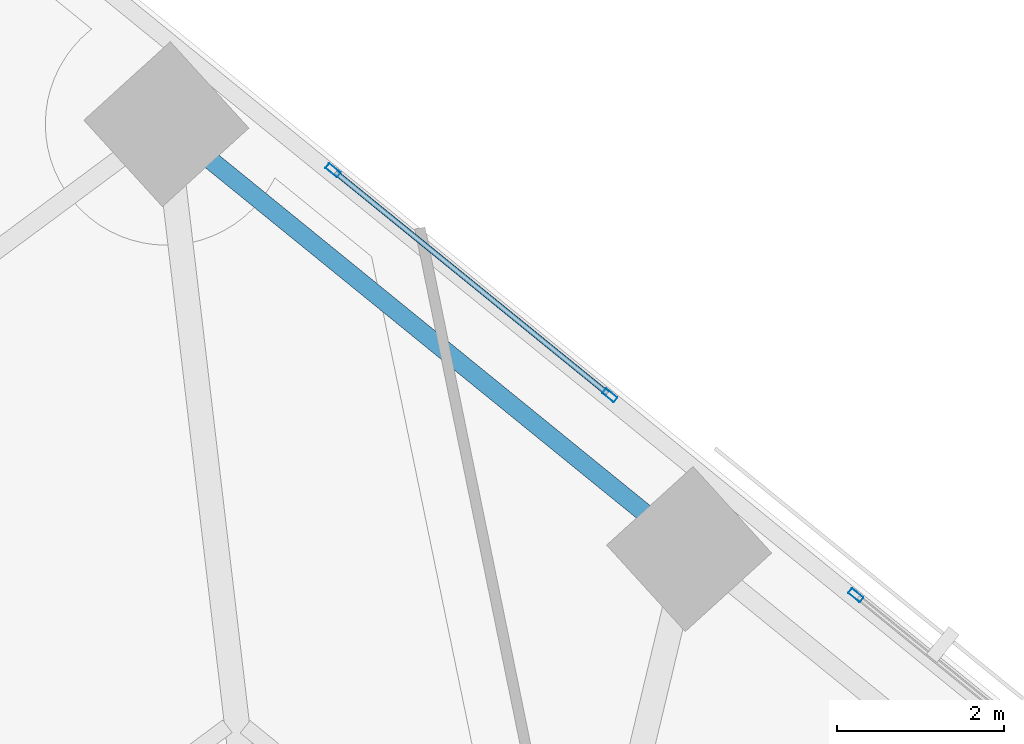
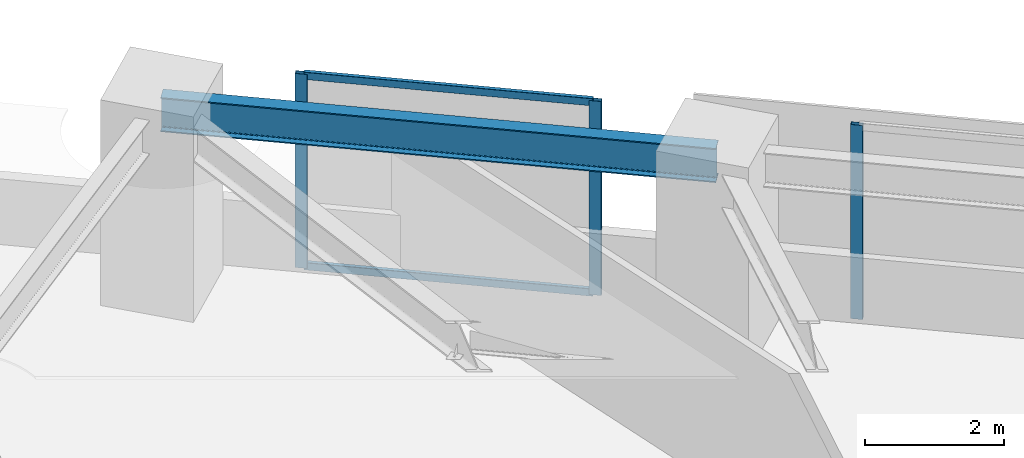
# One storey, part 9 of 17: 5 members, 1 beam, 2 elements without a shape of their own.
"""IFC4 building model written with IfcOpenShell, lengths in metres."""

from ifc_helpers import new_model, si_unit, direction, frame, origin, origin_2d, place, context, subcontext, project, spatial, hollow_rectangle, i_section, extrude, material, material_profile, profile_set, type_object, element, aggregate, save


model = new_model("IFC4")

# Units and contexts
model_context = context("Model", 3, precision=1e-05, world=origin(), true_north=direction((0.0, 1.0)))
body_context = subcontext(model_context, "Body", "Model", "MODEL_VIEW")
ifc_project = project(units=[si_unit("LENGTHUNIT", "METRE"), si_unit("AREAUNIT", "SQUARE_METRE"), si_unit("VOLUMEUNIT", "CUBIC_METRE"), si_unit("PLANEANGLEUNIT", "RADIAN"), si_unit("MASSUNIT", "GRAM", prefix="KILO")], contexts=[model_context])

# Site, building, storey
site_placement = place(None, origin())
site = spatial("IfcSite", under=ifc_project, at=site_placement, CompositionType="ELEMENT")
building_placement = place(site_placement, origin())
building = spatial("IfcBuilding", under=site, at=building_placement, Name="Narakoshi Arena Tower", CompositionType="ELEMENT")
storey_placement = place(building_placement, frame((0.0, 0.0, 41.10009765625)))
storey = spatial("IfcBuildingStorey", under=building, at=storey_placement, Name="L10", CompositionType="ELEMENT", Elevation=41.10009765625)

# Beam
ifc_material_1 = material(Name="Structural steel S355J2", Category="steel")
ifc_material_profile_1 = material_profile(ifc_material_1, i_section(OverallWidth=0.219970703125, OverallDepth=0.60009765625, WebThickness=0.011962890625, FlangeThickness=0.01904296875, FilletRadius=0.02392578125, at=origin_2d()), Name="IPE600")
ifc_profile_set_1 = profile_set([ifc_material_profile_1], Name="Structural steel S355J2")
beam_type = type_object("IfcBeamType", Name="BM-EDGE-600", PredefinedType="BEAM", material=ifc_profile_set_1)
beam_placement = place(storey_placement, frame((75.794189453125, 72.392333984375, 3.099853515625), z_axis=(-0.775993703931, 0.63074065309, 0.0), x_axis=(-0.63074065309, -0.775993703931, 0.0)))
element("IfcBeam", 1, at=beam_placement, inside=storey, type_object=beam_type, Name="L10 Perimeter Edge Girder 11", PredefinedType="BEAM", context=body_context, shape_type="SweptSolid", body=[
    extrude(i_section(OverallWidth=0.219970703125, OverallDepth=0.60009765625, WebThickness=0.011962890625, FlangeThickness=0.01904296875, FilletRadius=0.02392578125, at=origin_2d()), origin(), (0.0, 0.0, 1.0), 8.0712890625),
])

# Curtain wall, member
ifc_material_2 = material(Name="Anodised bronze aluminium 6063-T6", Category="aluminium")
curtain_wall_type = type_object("IfcCurtainWallType", Name="CW-HYP-LOW", PredefinedType="NOTDEFINED", material=ifc_material_2)
curtain_wall_1_placement = place(storey_placement, origin())
curtain_wall_1 = element("IfcCurtainWall", 2, at=curtain_wall_1_placement, inside=storey, type_object=curtain_wall_type, Name="L10 Folded Hypotenuse Curtain Wall 2-3", PredefinedType="NOTDEFINED")
ifc_material_profile_2 = material_profile(ifc_material_2, hollow_rectangle(XDim=0.074951171875, YDim=0.179931640625, WallThickness=0.00390625, OuterFilletRadius=0.0048828125, at=origin_2d()), Name="MUL180x75x4")
ifc_profile_set_2 = profile_set([ifc_material_profile_2], Name="Anodised bronze aluminium 6063-T6")
member_type_1 = type_object("IfcMemberType", Name="MEM-MUL-180", PredefinedType="MULLION", material=ifc_profile_set_2)
member_1_placement = place(storey_placement, frame((77.791015625, 71.8388671875, 0.0), z_axis=(0.0, 0.0, 1.0), x_axis=(-0.630722984816, -0.776008064665, 0.0)))
member_1 = element("IfcMember", 3, at=member_1_placement, type_object=member_type_1, Name="CW-01 mullion 2", PredefinedType="MULLION", context=body_context, shape_type="SweptSolid", body=[
    extrude(hollow_rectangle(XDim=0.074951171875, YDim=0.179931640625, WallThickness=0.00390625, OuterFilletRadius=0.0048828125, at=origin_2d()), origin(), (0.0, 0.0, 1.0), 3.39990234375),
])
aggregate(curtain_wall_1, [member_1])

# Curtain wall, members
curtain_wall_2_placement = place(storey_placement, origin())
curtain_wall_2 = element("IfcCurtainWall", 4, at=curtain_wall_2_placement, inside=storey, type_object=curtain_wall_type, Name="L10 Folded Hypotenuse Curtain Wall 2-4", PredefinedType="NOTDEFINED")
member_2_placement = place(storey_placement, frame((74.843994140625, 74.234130859375, 0.0), z_axis=(0.0, 0.0, 1.0), x_axis=(-0.630733728817, -0.775999332044, 0.0)))
member_2 = element("IfcMember", 5, at=member_2_placement, type_object=member_type_1, Name="CW-01 mullion 1", PredefinedType="MULLION", context=body_context, shape_type="SweptSolid", body=[
    extrude(hollow_rectangle(XDim=0.074951171875, YDim=0.179931640625, WallThickness=0.00390625, OuterFilletRadius=0.0048828125, at=origin_2d()), origin(), (0.0, 0.0, 1.0), 3.39990234375),
])
member_3_placement = place(storey_placement, frame((71.52783203125, 76.9296875, 0.0), z_axis=(0.0, 0.0, 1.0), x_axis=(-0.630733728817, -0.775999332044, 0.0)))
member_3 = element("IfcMember", 6, at=member_3_placement, type_object=member_type_1, Name="CW-01 mullion 2", PredefinedType="MULLION", context=body_context, shape_type="SweptSolid", body=[
    extrude(hollow_rectangle(XDim=0.074951171875, YDim=0.179931640625, WallThickness=0.00390625, OuterFilletRadius=0.0048828125, at=origin_2d()), origin(), (0.0, 0.0, 1.0), 3.39990234375),
])
ifc_material_profile_3 = material_profile(ifc_material_2, hollow_rectangle(XDim=0.06494140625, YDim=0.1298828125, WallThickness=0.00390625, OuterFilletRadius=0.0048828125, at=origin_2d()), Name="TRN130x65x4")
ifc_profile_set_3 = profile_set([ifc_material_profile_3], Name="Anodised bronze aluminium 6063-T6")
member_type_2 = type_object("IfcMemberType", Name="MEM-TRN-130", PredefinedType="USERDEFINED", material=ifc_profile_set_3)
member_4_placement = place(storey_placement, frame((74.81494140625, 74.2578125, 0.032470703125), z_axis=(-0.775994815564, 0.630739285457, 0.0), x_axis=(-0.630739285457, -0.775994815564, 0.0)))
member_4 = element("IfcMember", 7, at=member_4_placement, type_object=member_type_2, Name="CW-01 transom 1.1", ObjectType="TRANSOM", PredefinedType="USERDEFINED", context=body_context, shape_type="SweptSolid", body=[
    extrude(hollow_rectangle(XDim=0.06494140625, YDim=0.1298828125, WallThickness=0.00390625, OuterFilletRadius=0.0048828125, at=origin_2d()), origin(), (0.0, 0.0, 1.0), 4.198486328125),
])
member_5_placement = place(storey_placement, frame((74.81494140625, 74.2578125, 3.367431640625), z_axis=(-0.775994815564, 0.630739285457, 0.0), x_axis=(-0.630739285457, -0.775994815564, 0.0)))
member_5 = element("IfcMember", 8, at=member_5_placement, type_object=member_type_2, Name="CW-01 transom 1.2", ObjectType="TRANSOM", PredefinedType="USERDEFINED", context=body_context, shape_type="SweptSolid", body=[
    extrude(hollow_rectangle(XDim=0.06494140625, YDim=0.1298828125, WallThickness=0.00390625, OuterFilletRadius=0.0048828125, at=origin_2d()), origin(), (0.0, 0.0, 1.0), 4.198486328125),
])
aggregate(curtain_wall_2, [member_2, member_3, member_4, member_5])

save(model, "model.ifc")
